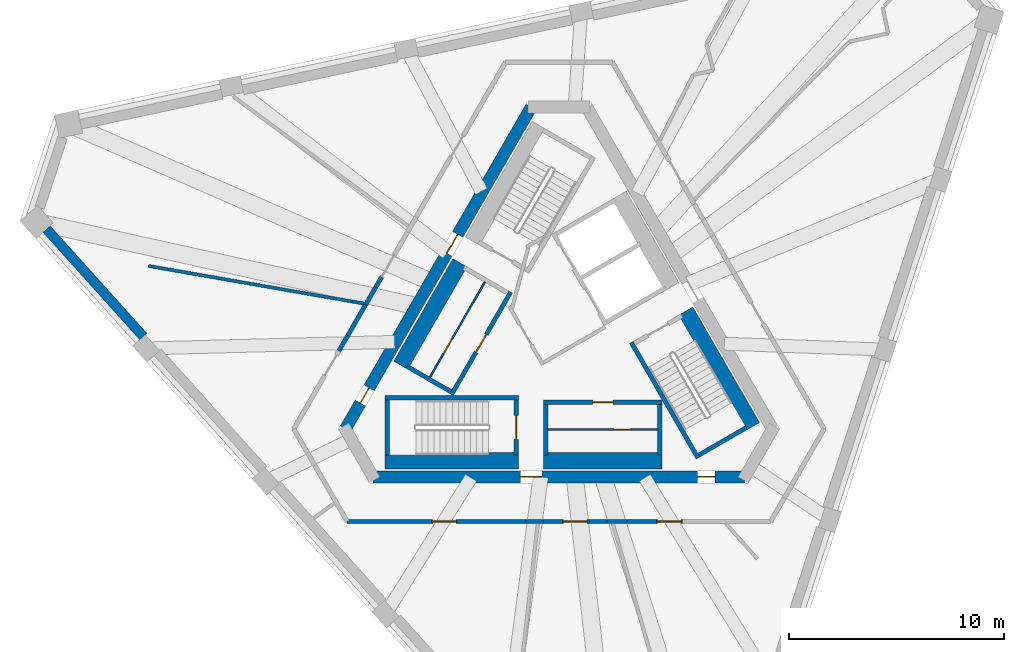
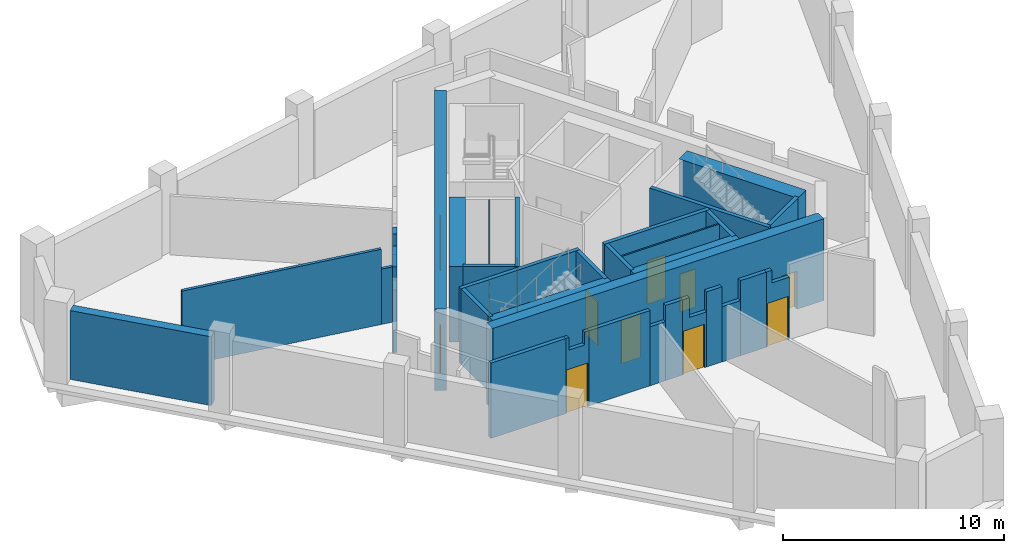
# One storey, part 2 of 5: 35 walls, 12 doors, 12 openings.
"""IFC4 building model written with IfcOpenShell, lengths in metres."""

from ifc_helpers import new_model, si_unit, direction, frame, frame_2d, origin, place, context, subcontext, project, spatial, polyline, rectangle, outline, extrude, material, layer, layer_set, type_object, element, fill, save


model = new_model("IFC4")

# Units and contexts
model_context = context("Model", 3, precision=1e-05, world=origin(), true_north=direction((0.0, 1.0)))
body_context = subcontext(model_context, "Body", "Model", "MODEL_VIEW")
ifc_project = project(units=[si_unit("LENGTHUNIT", "METRE"), si_unit("AREAUNIT", "SQUARE_METRE"), si_unit("VOLUMEUNIT", "CUBIC_METRE"), si_unit("PLANEANGLEUNIT", "RADIAN"), si_unit("MASSUNIT", "GRAM", prefix="KILO")], contexts=[model_context])

# Site, building, storey
site_placement = place(None, origin())
site = spatial("IfcSite", under=ifc_project, at=site_placement, CompositionType="ELEMENT")
building_placement = place(site_placement, origin())
building = spatial("IfcBuilding", under=site, at=building_placement, Name="Tramontana Tower", CompositionType="ELEMENT")
storey_placement = place(building_placement, frame((0.0, 0.0, 370.39990234375)))
storey = spatial("IfcBuildingStorey", under=building, at=storey_placement, Name="L85", CompositionType="ELEMENT", Elevation=370.39990234375)

# Wall, openings, doors
ifc_material_1 = material(Name="Concrete 70 MPa", Category="concrete")
ifc_layer_1 = layer(ifc_material_1, 0.550048828125)
ifc_layer_set_1 = layer_set([ifc_layer_1], Name="Core wall 550 70 MPa")
wall_type_1 = type_object("IfcWallType", Name="Core wall 550 70 MPa", PredefinedType="SHEAR", material=ifc_layer_set_1)
wall_1_placement = place(storey_placement, frame((-1.28466796875, 10.72509765625, 0.0), z_axis=(0.0, 0.0, 1.0), x_axis=(-0.499994590896, -0.86602852671, 0.0)))
wall_1 = element("IfcWall", 1, at=wall_1_placement, inside=storey, type_object=wall_type_1, Name="Core wall C1 L85", PredefinedType="SHEAR", context=body_context, shape_type="SweptSolid", body=[
    extrude(rectangle(XDim=17.291748046875, YDim=0.550048828125, at=frame_2d((8.64599609375, 0.0))), origin(), (0.0, 0.0, 1.0), 4.5),
])
opening_1_placement = place(wall_1_placement, frame((6.850830078125, 0.0, 0.0)))
opening_1 = element("IfcOpeningElement", 2, at=opening_1_placement, cuts=wall_1, Name="Opening RG1", PredefinedType="OPENING", context=body_context, shape_type="SweptSolid", body=[
    extrude(rectangle(XDim=1.0, YDim=2.39990234375, at=frame_2d((0.5, 1.199951171875))), frame((0.0, 0.284912109375, 0.0), z_axis=(0.0, -1.0, 0.0), x_axis=(1.0, 0.0, 0.0)), (0.0, 0.0, 1.0), 0.570068359375),
])
opening_2_placement = place(wall_1_placement, frame((15.0888671875, 0.0, 0.0)))
opening_2 = element("IfcOpeningElement", 3, at=opening_2_placement, cuts=wall_1, Name="Opening PD1", PredefinedType="OPENING", context=body_context, shape_type="SweptSolid", body=[
    extrude(rectangle(XDim=0.800048828125, YDim=2.10009765625, at=frame_2d((0.39990234375, 1.050048828125))), frame((0.0, 0.284912109375, 0.0), z_axis=(0.0, -1.0, 0.0), x_axis=(1.0, 0.0, 0.0)), (0.0, 0.0, 1.0), 0.570068359375),
])
ifc_material_2 = material(Name="Painted steel", Category="steel")
door_type_1 = type_object("IfcDoorType", Name="CUPBOARD DOOR 800", OperationType="SINGLE_SWING_LEFT", PredefinedType="DOOR", material=ifc_material_2)
door_1_placement = place(opening_2_placement, origin())
door_1 = element("IfcDoor", 4, at=door_1_placement, inside=storey, type_object=door_type_1, Name="Door PD1", OperationType="SINGLE_SWING_LEFT", OverallHeight=2.10009765625, OverallWidth=0.800048828125, PredefinedType="DOOR", context=body_context, shape_type="SweptSolid", body=[
    extrude(rectangle(XDim=0.800048828125, YDim=2.10009765625, at=frame_2d((0.39990234375, 1.050048828125))), frame((0.0, 0.02490234375, 0.0), z_axis=(0.0, -1.0, 0.0), x_axis=(1.0, 0.0, 0.0)), (0.0, 0.0, 1.0), 0.050048828125),
])
fill(opening_2, door_1)
ifc_material_3 = material(Name="Painted steel", Category="steel")
door_type_2 = type_object("IfcDoorType", Name="RING DOOR 1000", OperationType="SINGLE_SWING_LEFT", PredefinedType="DOOR", material=ifc_material_3)
door_2_placement = place(opening_1_placement, origin())
door_2 = element("IfcDoor", 5, at=door_2_placement, inside=storey, type_object=door_type_2, Name="Door RG1", OperationType="SINGLE_SWING_RIGHT", OverallHeight=2.39990234375, OverallWidth=1.0, PredefinedType="DOOR", context=body_context, shape_type="SweptSolid", body=[
    extrude(rectangle(XDim=1.0, YDim=2.39990234375, at=frame_2d((0.5, 1.199951171875))), frame((0.0, 0.02490234375, 0.0), z_axis=(0.0, -1.0, 0.0), x_axis=(1.0, 0.0, 0.0)), (0.0, 0.0, 1.0), 0.050048828125),
])
fill(opening_1, door_2)

wall_2_placement = place(storey_placement, frame((-8.645751953125, -6.47509765625, 0.0), z_axis=(0.0, 0.0, 1.0), x_axis=(1.0, 0.0, 0.0)))
wall_2 = element("IfcWall", 6, at=wall_2_placement, inside=storey, type_object=wall_type_1, Name="Core wall C3 L85", PredefinedType="SHEAR", context=body_context, shape_type="SweptSolid", body=[
    extrude(rectangle(XDim=17.29150390625, YDim=0.550048828125, at=frame_2d((8.645751953125, 0.0))), origin(), (0.0, 0.0, 1.0), 4.5),
])
opening_3_placement = place(wall_2_placement, frame((6.850830078125, 0.0, 0.0)))
opening_3 = element("IfcOpeningElement", 7, at=opening_3_placement, cuts=wall_2, Name="Opening RG2", PredefinedType="OPENING", context=body_context, shape_type="SweptSolid", body=[
    extrude(rectangle(XDim=1.0, YDim=2.39990234375, at=frame_2d((0.5, 1.199951171875))), frame((0.0, 0.284912109375, 0.0), z_axis=(0.0, -1.0, 0.0), x_axis=(1.0, 0.0, 0.0)), (0.0, 0.0, 1.0), 0.570068359375),
])
opening_4_placement = place(wall_2_placement, frame((15.088623046875, 0.0, 0.0)))
opening_4 = element("IfcOpeningElement", 8, at=opening_4_placement, cuts=wall_2, Name="Opening PD2", PredefinedType="OPENING", context=body_context, shape_type="SweptSolid", body=[
    extrude(rectangle(XDim=0.800048828125, YDim=2.10009765625, at=frame_2d((0.39990234375, 1.050048828125))), frame((0.0, 0.284912109375, 0.0), z_axis=(0.0, -1.0, 0.0), x_axis=(1.0, 0.0, 0.0)), (0.0, 0.0, 1.0), 0.570068359375),
])
door_3_placement = place(opening_4_placement, origin())
door_3 = element("IfcDoor", 9, at=door_3_placement, inside=storey, type_object=door_type_1, Name="Door PD2", OperationType="SINGLE_SWING_RIGHT", OverallHeight=2.10009765625, OverallWidth=0.800048828125, PredefinedType="DOOR", context=body_context, shape_type="SweptSolid", body=[
    extrude(rectangle(XDim=0.800048828125, YDim=2.10009765625, at=frame_2d((0.39990234375, 1.050048828125))), frame((0.0, 0.02490234375, 0.0), z_axis=(0.0, -1.0, 0.0), x_axis=(1.0, 0.0, 0.0)), (0.0, 0.0, 1.0), 0.050048828125),
])
fill(opening_4, door_3)
door_4_placement = place(opening_3_placement, origin())
door_4 = element("IfcDoor", 10, at=door_4_placement, inside=storey, type_object=door_type_2, Name="Door RG2", OperationType="SINGLE_SWING_LEFT", OverallHeight=2.39990234375, OverallWidth=1.0, PredefinedType="DOOR", context=body_context, shape_type="SweptSolid", body=[
    extrude(rectangle(XDim=1.0, YDim=2.39990234375, at=frame_2d((0.5, 1.199951171875))), frame((0.0, 0.02490234375, 0.0), z_axis=(0.0, -1.0, 0.0), x_axis=(1.0, 0.0, 0.0)), (0.0, 0.0, 1.0), 0.050048828125),
])
fill(opening_3, door_4)

# Wall, opening, door
ifc_material_4 = material(Name="Blockwork", Category="masonry")
ifc_layer_2 = layer(ifc_material_4, 0.199951171875)
ifc_layer_set_2 = layer_set([ifc_layer_2], Name="ENTRY WALL 200")
wall_type_2 = type_object("IfcWallType", Name="ENTRY WALL 200", PredefinedType="SOLIDWALL", material=ifc_layer_set_2)
wall_3_placement = place(storey_placement, frame((5.73291015625, -8.550048828125, 0.0), z_axis=(0.0, 0.0, 1.0), x_axis=(-1.0, 0.0, 0.0)))
wall_3 = element("IfcWall", 11, at=wall_3_placement, inside=storey, type_object=wall_type_2, Name="Wall ew1-1", PredefinedType="SOLIDWALL", context=body_context, shape_type="SweptSolid", body=[
    extrude(outline(polyline([(0.0, 0.0), (1.199951171875, 0.0), (1.199951171875, 4.150146484375), (0.904541015625, 4.150146484375), (0.904541015625, 3.4501953125), (0.0, 3.4501953125), (0.0, 0.0)])), frame((0.0, 0.10009765625, 0.0), z_axis=(0.0, -1.0, 0.0), x_axis=(1.0, 0.0, 0.0)), (0.0, 0.0, 1.0), 0.199951171875),
])
opening_5_placement = place(wall_3_placement, frame((0.050048828125, 0.0, 0.0)))
opening_5 = element("IfcOpeningElement", 12, at=opening_5_placement, cuts=wall_3, Name="Opening L85-07", PredefinedType="OPENING", context=body_context, shape_type="SweptSolid", body=[
    extrude(rectangle(XDim=1.10009765625, YDim=2.39990234375, at=frame_2d((0.550048828125, 1.199951171875))), frame((0.0, 0.10986328125, 0.0), z_axis=(0.0, -1.0, 0.0), x_axis=(1.0, 0.0, 0.0)), (0.0, 0.0, 1.0), 0.219970703125),
])
ifc_material_5 = material(Name="Painted timber", Category="wood")
door_type_3 = type_object("IfcDoorType", Name="DOOR ENTRY 1100", OperationType="SINGLE_SWING_LEFT", PredefinedType="DOOR", material=ifc_material_5)
door_5_placement = place(opening_5_placement, origin())
door_5 = element("IfcDoor", 13, at=door_5_placement, inside=storey, type_object=door_type_3, Name="Door L85-07", OperationType="SINGLE_SWING_LEFT", OverallHeight=2.39990234375, OverallWidth=1.10009765625, PredefinedType="DOOR", context=body_context, shape_type="SweptSolid", body=[
    extrude(rectangle(XDim=1.10009765625, YDim=2.39990234375, at=frame_2d((0.550048828125, 1.199951171875))), frame((0.0, 0.02490234375, 0.0), z_axis=(0.0, -1.0, 0.0), x_axis=(1.0, 0.0, 0.0)), (0.0, 0.0, 1.0), 0.050048828125),
])
fill(opening_5, door_5)

# Walls
wall_4_placement = place(storey_placement, frame((4.532958984375, -8.550048828125, 0.0), z_axis=(0.0, 0.0, 1.0), x_axis=(-1.0, 0.0, 0.0)))
element("IfcWall", 14, at=wall_4_placement, inside=storey, type_object=wall_type_2, Name="Wall ew1-2", PredefinedType="SOLIDWALL", context=body_context, shape_type="SweptSolid", body=[
    extrude(rectangle(XDim=1.360107421875, YDim=0.199951171875, at=frame_2d((0.68017578125, 0.0))), origin(), (0.0, 0.0, 1.0), 4.150146484375),
])
wall_5_placement = place(storey_placement, frame((3.1728515625, -8.550048828125, 0.0), z_axis=(0.0, 0.0, 1.0), x_axis=(-1.0, 0.0, 0.0)))
element("IfcWall", 15, at=wall_5_placement, inside=storey, type_object=wall_type_2, Name="Wall ew1-3", PredefinedType="SOLIDWALL", context=body_context, shape_type="SweptSolid", body=[
    extrude(rectangle(XDim=0.94384765625, YDim=0.199951171875, at=frame_2d((0.471923828125, 0.0))), origin(), (0.0, 0.0, 1.0), 3.050048828125),
])
wall_6_placement = place(storey_placement, frame((2.22900390625, -8.550048828125, 0.0), z_axis=(0.0, 0.0, 1.0), x_axis=(-1.0, 0.0, 0.0)))
element("IfcWall", 16, at=wall_6_placement, inside=storey, type_object=wall_type_2, Name="Wall ew1-4", PredefinedType="SOLIDWALL", context=body_context, shape_type="SweptSolid", body=[
    extrude(rectangle(XDim=0.806640625, YDim=0.199951171875, at=frame_2d((0.4033203125, 0.0))), origin(), (0.0, 0.0, 1.0), 4.150146484375),
])

# Wall, opening, door
wall_7_placement = place(storey_placement, frame((1.42236328125, -8.550048828125, 0.0), z_axis=(0.0, 0.0, 1.0), x_axis=(-1.0, 0.0, 0.0)))
wall_7 = element("IfcWall", 17, at=wall_7_placement, inside=storey, type_object=wall_type_2, Name="Wall ew1-5", PredefinedType="SOLIDWALL", context=body_context, shape_type="SweptSolid", body=[
    extrude(outline(polyline([(0.0, 0.0), (1.26318359375, 0.0), (1.262939453125, 4.150146484375), (0.90576171875, 4.150146484375), (0.90576171875, 3.050048828125), (0.0, 3.050048828125), (0.0, 0.0)])), frame((0.0, 0.10009765625, 0.0), z_axis=(0.0, -1.0, 0.0), x_axis=(1.0, 0.0, 0.0)), (0.0, 0.0, 1.0), 0.199951171875),
])
opening_6_placement = place(wall_7_placement, frame((0.113037109375, 0.0, 0.0)))
opening_6 = element("IfcOpeningElement", 18, at=opening_6_placement, cuts=wall_7, Name="Opening L85-06", PredefinedType="OPENING", context=body_context, shape_type="SweptSolid", body=[
    extrude(rectangle(XDim=1.10009765625, YDim=2.39990234375, at=frame_2d((0.550048828125, 1.199951171875))), frame((0.0, 0.10986328125, 0.0), z_axis=(0.0, -1.0, 0.0), x_axis=(1.0, 0.0, 0.0)), (0.0, 0.0, 1.0), 0.219970703125),
])
door_6_placement = place(opening_6_placement, origin())
door_6 = element("IfcDoor", 19, at=door_6_placement, inside=storey, type_object=door_type_3, Name="Door L85-06", OperationType="SINGLE_SWING_RIGHT", OverallHeight=2.39990234375, OverallWidth=1.10009765625, PredefinedType="DOOR", context=body_context, shape_type="SweptSolid", body=[
    extrude(rectangle(XDim=1.10009765625, YDim=2.39990234375, at=frame_2d((0.550048828125, 1.199951171875))), frame((0.0, 0.02490234375, 0.0), z_axis=(0.0, -1.0, 0.0), x_axis=(1.0, 0.0, 0.0)), (0.0, 0.0, 1.0), 0.050048828125),
])
fill(opening_6, door_6)

# Walls
wall_8_placement = place(storey_placement, frame((0.1591796875, -8.550048828125, 0.0), z_axis=(0.0, 0.0, 1.0), x_axis=(-1.0, 0.0, 0.0)))
element("IfcWall", 20, at=wall_8_placement, inside=storey, type_object=wall_type_2, Name="Wall ew1-6", PredefinedType="SOLIDWALL", context=body_context, shape_type="SweptSolid", body=[
    extrude(rectangle(XDim=0.880859375, YDim=0.199951171875, at=frame_2d((0.4404296875, 0.0))), origin(), (0.0, 0.0, 1.0), 4.150146484375),
])
wall_9_placement = place(storey_placement, frame((-0.7216796875, -8.550048828125, 0.0), z_axis=(0.0, 0.0, 1.0), x_axis=(-1.0, 0.0, 0.0)))
element("IfcWall", 21, at=wall_9_placement, inside=storey, type_object=wall_type_2, Name="Wall ew1-7", PredefinedType="SOLIDWALL", context=body_context, shape_type="SweptSolid", body=[
    extrude(rectangle(XDim=0.806884765625, YDim=0.199951171875, at=frame_2d((0.4033203125, 0.0))), origin(), (0.0, 0.0, 1.0), 3.25),
])
wall_10_placement = place(storey_placement, frame((-1.528564453125, -8.550048828125, 0.0), z_axis=(0.0, 0.0, 1.0), x_axis=(-1.0, 0.0, 0.0)))
element("IfcWall", 22, at=wall_10_placement, inside=storey, type_object=wall_type_2, Name="Wall ew1-8", PredefinedType="SOLIDWALL", context=body_context, shape_type="SweptSolid", body=[
    extrude(rectangle(XDim=3.2060546875, YDim=0.199951171875, at=frame_2d((1.60302734375, 0.0))), origin(), (0.0, 0.0, 1.0), 4.150146484375),
])

# Wall, opening, door
wall_11_placement = place(storey_placement, frame((-4.734619140625, -8.550048828125, 0.0), z_axis=(0.0, 0.0, 1.0), x_axis=(-1.0, 0.0, 0.0)))
wall_11 = element("IfcWall", 23, at=wall_11_placement, inside=storey, type_object=wall_type_2, Name="Wall ew1-9", PredefinedType="SOLIDWALL", context=body_context, shape_type="SweptSolid", body=[
    extrude(outline(polyline([(0.0, 0.0), (1.199951171875, 0.0), (1.199951171875, 4.150146484375), (1.04345703125, 4.150146484375), (1.04345703125, 3.4501953125), (0.217041015625, 3.4501953125), (0.217041015625, 4.150146484375), (0.0, 4.150146484375), (0.0, 0.0)])), frame((0.0, 0.10009765625, 0.0), z_axis=(0.0, -1.0, 0.0), x_axis=(1.0, 0.0, 0.0)), (0.0, 0.0, 1.0), 0.199951171875),
])
opening_7_placement = place(wall_11_placement, frame((0.050048828125, 0.0, 0.0)))
opening_7 = element("IfcOpeningElement", 24, at=opening_7_placement, cuts=wall_11, Name="Opening L85-05", PredefinedType="OPENING", context=body_context, shape_type="SweptSolid", body=[
    extrude(rectangle(XDim=1.10009765625, YDim=2.39990234375, at=frame_2d((0.550048828125, 1.199951171875))), frame((0.0, 0.10986328125, 0.0), z_axis=(0.0, -1.0, 0.0), x_axis=(1.0, 0.0, 0.0)), (0.0, 0.0, 1.0), 0.219970703125),
])
door_7_placement = place(opening_7_placement, origin())
door_7 = element("IfcDoor", 25, at=door_7_placement, inside=storey, type_object=door_type_3, Name="Door L85-05", OperationType="SINGLE_SWING_LEFT", OverallHeight=2.39990234375, OverallWidth=1.10009765625, PredefinedType="DOOR", context=body_context, shape_type="SweptSolid", body=[
    extrude(rectangle(XDim=1.10009765625, YDim=2.39990234375, at=frame_2d((0.550048828125, 1.199951171875))), frame((0.0, 0.02490234375, 0.0), z_axis=(0.0, -1.0, 0.0), x_axis=(1.0, 0.0, 0.0)), (0.0, 0.0, 1.0), 0.050048828125),
])
fill(opening_7, door_7)

# Walls
wall_12_placement = place(storey_placement, frame((-5.9345703125, -8.550048828125, 0.0), z_axis=(0.0, 0.0, 1.0), x_axis=(-1.0, 0.0, 0.0)))
element("IfcWall", 26, at=wall_12_placement, inside=storey, type_object=wall_type_2, Name="Wall ew1-10", PredefinedType="SOLIDWALL", context=body_context, shape_type="SweptSolid", body=[
    extrude(rectangle(XDim=3.9091796875, YDim=0.199951171875, at=frame_2d((1.95458984375, 0.0))), origin(), (0.0, 0.0, 1.0), 4.150146484375),
])
wall_13_placement = place(storey_placement, frame((-10.229248046875, -0.617431640625, 0.0), z_axis=(0.0, 0.0, 1.0), x_axis=(0.5001686003, 0.865928040471, 0.0)))
element("IfcWall", 27, at=wall_13_placement, inside=storey, type_object=wall_type_2, Name="Wall ew3-1", PredefinedType="SOLIDWALL", context=body_context, shape_type="SweptSolid", body=[
    extrude(rectangle(XDim=0.821044921875, YDim=0.199951171875, at=frame_2d((0.41064453125, 0.0))), origin(), (0.0, 0.0, 1.0), 3.4501953125),
])
wall_14_placement = place(storey_placement, frame((-9.818603515625, 0.093505859375, 0.0), z_axis=(0.0, 0.0, 1.0), x_axis=(0.49997779057, 0.866038226025, 0.0)))
element("IfcWall", 28, at=wall_14_placement, inside=storey, type_object=wall_type_2, Name="Wall ew3-2", PredefinedType="SOLIDWALL", context=body_context, shape_type="SweptSolid", body=[
    extrude(rectangle(XDim=1.6552734375, YDim=0.199951171875, at=frame_2d((0.82763671875, 0.0))), origin(), (0.0, 0.0, 1.0), 4.150146484375),
])
wall_15_placement = place(storey_placement, frame((-8.990966796875, 1.527099609375, 0.0), z_axis=(0.0, 0.0, 1.0), x_axis=(0.500006071987, 0.866021898093, 0.0)))
element("IfcWall", 29, at=wall_15_placement, inside=storey, type_object=wall_type_2, Name="Wall ew3-3", PredefinedType="SOLIDWALL", context=body_context, shape_type="SweptSolid", body=[
    extrude(rectangle(XDim=0.94384765625, YDim=0.199951171875, at=frame_2d((0.471923828125, 0.0))), origin(), (0.0, 0.0, 1.0), 3.050048828125),
])
wall_16_placement = place(storey_placement, frame((-8.51904296875, 2.344482421875, 0.0), z_axis=(0.0, 0.0, 1.0), x_axis=(0.499931139538, 0.866065156741, 0.0)))
element("IfcWall", 30, at=wall_16_placement, inside=storey, type_object=wall_type_2, Name="Wall ew3-4", PredefinedType="SOLIDWALL", context=body_context, shape_type="SweptSolid", body=[
    extrude(rectangle(XDim=0.5400390625, YDim=0.199951171875, at=frame_2d((0.27001953125, 0.0))), origin(), (0.0, 0.0, 1.0), 4.150146484375),
])
ifc_material_6 = material(Name="Precast concrete 60 MPa", Category="concrete")
ifc_layer_3 = layer(ifc_material_6, 0.449951171875)
ifc_layer_set_3 = layer_set([ifc_layer_3], Name="Precast concrete 60 MPa, 450 mm")
wall_type_3 = type_object("IfcWallType", Name="EW1 Stone-faced precast wall 450", PredefinedType="SOLIDWALL", material=ifc_layer_set_3)
wall_17_placement = place(storey_placement, frame((-23.817138671875, 5.043212890625, 0.0), z_axis=(0.0, 0.0, 1.0), x_axis=(0.669137493687, -0.743138624041, 0.0)))
element("IfcWall", 31, at=wall_17_placement, inside=storey, type_object=wall_type_3, Name="Stone band wall L85 face 0s 1", PredefinedType="SOLIDWALL", context=body_context, shape_type="SweptSolid", body=[
    extrude(rectangle(XDim=6.7138671875, YDim=0.449951171875, at=frame_2d((3.35693359375, 0.0))), origin(), (0.0, 0.0, 1.0), 3.800048828125),
])
ifc_material_7 = material(Name="Gypsum board partition")
ifc_layer_4 = layer(ifc_material_7, 0.14990234375)
ifc_layer_set_4 = layer_set([ifc_layer_4], Name="PARTITION 150")
wall_type_4 = type_object("IfcWallType", Name="PARTITION 150", PredefinedType="PARTITIONING", material=ifc_layer_set_4)
wall_18_placement = place(storey_placement, frame((-9.07373046875, 1.583984375, 0.0), z_axis=(0.0, 0.0, 1.0), x_axis=(-0.985074607055, 0.172127913293, 0.0)))
element("IfcWall", 32, at=wall_18_placement, inside=storey, type_object=wall_type_4, Name="Wall fw-pw02-0", PredefinedType="PARTITIONING", context=body_context, shape_type="SweptSolid", body=[
    extrude(rectangle(XDim=0.56298828125, YDim=0.14990234375, at=frame_2d((0.281494140625, 0.0))), origin(), (0.0, 0.0, 1.0), 3.050048828125),
])
wall_19_placement = place(storey_placement, frame((-9.62841796875, 1.680908203125, 0.0), z_axis=(0.0, 0.0, 1.0), x_axis=(-0.985101356033, 0.171974760768, 0.0)))
element("IfcWall", 33, at=wall_19_placement, inside=storey, type_object=wall_type_4, Name="Wall fw-pw02-1", PredefinedType="PARTITIONING", context=body_context, shape_type="SweptSolid", body=[
    extrude(rectangle(XDim=9.59375, YDim=0.14990234375, at=frame_2d((4.796875, 0.0))), origin(), (0.0, 0.0, 1.0), 4.150146484375),
])

# Wall, opening, door
ifc_material_8 = material(Name="Gypsum board partition")
ifc_layer_5 = layer(ifc_material_8, 0.080078125)
ifc_layer_set_5 = layer_set([ifc_layer_5], Name="PARTITION 80")
wall_type_5 = type_object("IfcWallType", Name="PARTITION 80", PredefinedType="PARTITIONING", material=ifc_layer_set_5)
wall_20_placement = place(storey_placement, frame((-5.997314453125, -1.837646484375, 0.0), z_axis=(0.0, 0.0, 1.0), x_axis=(0.500005610874, 0.86602216432, 0.0)))
wall_20 = element("IfcWall", 34, at=wall_20_placement, inside=storey, type_object=wall_type_5, Name="Wall row0-split", PredefinedType="PARTITIONING", context=body_context, shape_type="SweptSolid", body=[
    extrude(rectangle(XDim=5.10009765625, YDim=0.080078125, at=frame_2d((2.550048828125, 0.0))), origin(), (0.0, 0.0, 1.0), 4.150146484375),
])
opening_8_placement = place(wall_20_placement, frame((1.25, 0.0, 0.0)))
opening_8 = element("IfcOpeningElement", 35, at=opening_8_placement, cuts=wall_20, Name="Opening RD-0B", PredefinedType="OPENING", context=body_context, shape_type="SweptSolid", body=[
    extrude(rectangle(XDim=0.800048828125, YDim=2.10009765625, at=frame_2d((0.39990234375, 1.050048828125))), frame((0.0, 0.050048828125, 0.0), z_axis=(0.0, -1.0, 0.0), x_axis=(1.0, 0.0, 0.0)), (0.0, 0.0, 1.0), 0.10009765625),
])
door_8_placement = place(opening_8_placement, origin())
door_8 = element("IfcDoor", 36, at=door_8_placement, inside=storey, type_object=door_type_1, Name="Door RD-0B", OperationType="SINGLE_SWING_RIGHT", OverallHeight=2.10009765625, OverallWidth=0.800048828125, PredefinedType="DOOR", context=body_context, shape_type="SweptSolid", body=[
    extrude(rectangle(XDim=0.800048828125, YDim=2.10009765625, at=frame_2d((0.39990234375, 1.050048828125))), frame((0.0, 0.02490234375, 0.0), z_axis=(0.0, -1.0, 0.0), x_axis=(1.0, 0.0, 0.0)), (0.0, 0.0, 1.0), 0.050048828125),
])
fill(opening_8, door_8)

wall_21_placement = place(storey_placement, frame((4.590087890625, -4.27490234375, 0.0), z_axis=(0.0, 0.0, 1.0), x_axis=(-1.0, 0.0, 0.0)))
wall_21 = element("IfcWall", 37, at=wall_21_placement, inside=storey, type_object=wall_type_5, Name="Wall row1-split", PredefinedType="PARTITIONING", context=body_context, shape_type="SweptSolid", body=[
    extrude(rectangle(XDim=5.10009765625, YDim=0.080078125, at=frame_2d((2.550048828125, 0.0))), origin(), (0.0, 0.0, 1.0), 4.150146484375),
])
opening_9_placement = place(wall_21_placement, frame((1.25, 0.0, 0.0)))
opening_9 = element("IfcOpeningElement", 38, at=opening_9_placement, cuts=wall_21, Name="Opening RD-1B", PredefinedType="OPENING", context=body_context, shape_type="SweptSolid", body=[
    extrude(rectangle(XDim=0.800048828125, YDim=2.10009765625, at=frame_2d((0.39990234375, 1.050048828125))), frame((0.0, 0.050048828125, 0.0), z_axis=(0.0, -1.0, 0.0), x_axis=(1.0, 0.0, 0.0)), (0.0, 0.0, 1.0), 0.10009765625),
])
door_9_placement = place(opening_9_placement, origin())
door_9 = element("IfcDoor", 39, at=door_9_placement, inside=storey, type_object=door_type_1, Name="Door RD-1B", OperationType="SINGLE_SWING_RIGHT", OverallHeight=2.10009765625, OverallWidth=0.800048828125, PredefinedType="DOOR", context=body_context, shape_type="SweptSolid", body=[
    extrude(rectangle(XDim=0.800048828125, YDim=2.10009765625, at=frame_2d((0.39990234375, 1.050048828125))), frame((0.0, 0.02490234375, 0.0), z_axis=(0.0, -1.0, 0.0), x_axis=(1.0, 0.0, 0.0)), (0.0, 0.0, 1.0), 0.050048828125),
])
fill(opening_9, door_9)

# Walls
ifc_material_9 = material(Name="Concrete 70 MPa", Category="concrete")
ifc_layer_6 = layer(ifc_material_9, 0.75)
ifc_layer_set_6 = layer_set([ifc_layer_6], Name="Concrete 70 MPa, 750 mm")
wall_type_6 = type_object("IfcWallType", Name="RC SHAFT BACK WALL 750", PredefinedType="SOLIDWALL", material=ifc_layer_set_6)
wall_22_placement = place(storey_placement, frame((-8.080078125, -5.72509765625, 0.0), z_axis=(0.0, 0.0, 1.0), x_axis=(1.0, 0.0, 0.0)))
element("IfcWall", 40, at=wall_22_placement, inside=storey, type_object=wall_type_6, Name="Wall st2-back", PredefinedType="SOLIDWALL", context=body_context, shape_type="SweptSolid", body=[
    extrude(rectangle(XDim=6.2001953125, YDim=0.75, at=frame_2d((3.10009765625, 0.0))), origin(), (0.0, 0.0, 1.0), 4.150146484375),
])
wall_23_placement = place(storey_placement, frame((8.998046875, -4.135009765625, 0.0), z_axis=(0.0, 0.0, 1.0), x_axis=(-0.500009909098, 0.866019682689, 0.0)))
element("IfcWall", 41, at=wall_23_placement, inside=storey, type_object=wall_type_6, Name="Wall st3-back", PredefinedType="SOLIDWALL", context=body_context, shape_type="SweptSolid", body=[
    extrude(rectangle(XDim=6.199951171875, YDim=0.75, at=frame_2d((3.10009765625, 0.0))), origin(), (0.0, 0.0, 1.0), 4.150146484375),
])
wall_24_placement = place(storey_placement, frame((-4.60302734375, 3.477294921875, 0.0), z_axis=(0.0, 0.0, 1.0), x_axis=(-0.500015767406, -0.866016300277, 0.0)))
element("IfcWall", 42, at=wall_24_placement, inside=storey, type_object=wall_type_6, Name="Wall row0-back", PredefinedType="SOLIDWALL", context=body_context, shape_type="SweptSolid", body=[
    extrude(rectangle(XDim=5.499755859375, YDim=0.75, at=frame_2d((2.75, 0.0))), origin(), (0.0, 0.0, 1.0), 4.150146484375),
])
wall_25_placement = place(storey_placement, frame((-0.7099609375, -5.72509765625, 0.0), z_axis=(0.0, 0.0, 1.0), x_axis=(1.0, 0.0, 0.0)))
element("IfcWall", 43, at=wall_25_placement, inside=storey, type_object=wall_type_6, Name="Wall row1-back", PredefinedType="SOLIDWALL", context=body_context, shape_type="SweptSolid", body=[
    extrude(rectangle(XDim=5.5, YDim=0.75, at=frame_2d((2.75, 0.0))), origin(), (0.0, 0.0, 1.0), 4.150146484375),
])
ifc_material_10 = material(Name="Concrete 70 MPa", Category="concrete")
ifc_layer_7 = layer(ifc_material_10, 0.199951171875)
ifc_layer_set_7 = layer_set([ifc_layer_7], Name="Concrete 70 MPa, 200 mm")
wall_type_7 = type_object("IfcWallType", Name="RC STAIR AND SHAFT WALL 200", PredefinedType="SOLIDWALL", material=ifc_layer_set_7)
wall_26_placement = place(storey_placement, frame((-8.080078125, -2.800048828125, 0.0), z_axis=(0.0, 0.0, 1.0), x_axis=(1.0, 0.0, 0.0)))
element("IfcWall", 44, at=wall_26_placement, inside=storey, type_object=wall_type_7, Name="Wall st2-front", PredefinedType="SOLIDWALL", context=body_context, shape_type="SweptSolid", body=[
    extrude(rectangle(XDim=6.2001953125, YDim=0.199951171875, at=frame_2d((3.10009765625, 0.0))), origin(), (0.0, 0.0, 1.0), 4.150146484375),
])
wall_27_placement = place(storey_placement, frame((-7.97998046875, -2.89990234375, 0.0), z_axis=(0.0, 0.0, 1.0), x_axis=(0.0, -1.0, 0.0)))
element("IfcWall", 45, at=wall_27_placement, inside=storey, type_object=wall_type_7, Name="Wall st2-far", PredefinedType="SOLIDWALL", context=body_context, shape_type="SweptSolid", body=[
    extrude(rectangle(XDim=2.550048828125, YDim=0.199951171875, at=frame_2d((1.27490234375, 0.0))), origin(), (0.0, 0.0, 1.0), 4.150146484375),
])

# Wall, opening, door
wall_28_placement = place(storey_placement, frame((-1.97998046875, -2.89990234375, 0.0), z_axis=(0.0, 0.0, 1.0), x_axis=(0.0, -1.0, 0.0)))
wall_28 = element("IfcWall", 46, at=wall_28_placement, inside=storey, type_object=wall_type_7, Name="Wall st2-near", PredefinedType="SOLIDWALL", context=body_context, shape_type="SweptSolid", body=[
    extrude(rectangle(XDim=2.550048828125, YDim=0.199951171875, at=frame_2d((1.27490234375, 0.0))), origin(), (0.0, 0.0, 1.0), 4.150146484375),
])
opening_10_placement = place(wall_28_placement, frame((0.72509765625, 0.0, 0.0)))
opening_10 = element("IfcOpeningElement", 47, at=opening_10_placement, cuts=wall_28, Name="Opening SD2", PredefinedType="OPENING", context=body_context, shape_type="SweptSolid", body=[
    extrude(rectangle(XDim=1.10009765625, YDim=2.39990234375, at=frame_2d((0.550048828125, 1.199951171875))), frame((0.0, 0.10986328125, 0.0), z_axis=(0.0, -1.0, 0.0), x_axis=(1.0, 0.0, 0.0)), (0.0, 0.0, 1.0), 0.219970703125),
])
ifc_material_11 = material(Name="Painted steel", Category="steel")
door_type_4 = type_object("IfcDoorType", Name="STAIR DOOR 1100", OperationType="SINGLE_SWING_LEFT", PredefinedType="DOOR", material=ifc_material_11)
door_10_placement = place(opening_10_placement, origin())
door_10 = element("IfcDoor", 48, at=door_10_placement, inside=storey, type_object=door_type_4, Name="Door SD2", OperationType="SINGLE_SWING_LEFT", OverallHeight=2.39990234375, OverallWidth=1.10009765625, PredefinedType="DOOR", context=body_context, shape_type="SweptSolid", body=[
    extrude(rectangle(XDim=1.10009765625, YDim=2.39990234375, at=frame_2d((0.550048828125, 1.199951171875))), frame((0.0, 0.02490234375, 0.0), z_axis=(0.0, -1.0, 0.0), x_axis=(1.0, 0.0, 0.0)), (0.0, 0.0, 1.0), 0.050048828125),
])
fill(opening_10, door_10)

# Walls
wall_29_placement = place(storey_placement, frame((6.46484375, -5.597412109375, 0.0), z_axis=(0.0, 0.0, 1.0), x_axis=(-0.49998037582, 0.866036733513, 0.0)))
element("IfcWall", 49, at=wall_29_placement, inside=storey, type_object=wall_type_7, Name="Wall st3-front", PredefinedType="SOLIDWALL", context=body_context, shape_type="SweptSolid", body=[
    extrude(rectangle(XDim=6.199951171875, YDim=0.199951171875, at=frame_2d((3.10009765625, 0.0))), origin(), (0.0, 0.0, 1.0), 4.150146484375),
])
wall_30_placement = place(storey_placement, frame((6.50146484375, -5.4609375, 0.0), z_axis=(0.0, 0.0, 1.0), x_axis=(0.865989465428, 0.500062241894, 0.0)))
element("IfcWall", 50, at=wall_30_placement, inside=storey, type_object=wall_type_7, Name="Wall st3-far", PredefinedType="SOLIDWALL", context=body_context, shape_type="SweptSolid", body=[
    extrude(rectangle(XDim=2.550048828125, YDim=0.199951171875, at=frame_2d((1.27490234375, 0.0))), origin(), (0.0, 0.0, 1.0), 4.150146484375),
])

# Wall, opening, door
wall_31_placement = place(storey_placement, frame((-4.9931640625, -2.648193359375, 0.0), z_axis=(0.0, 0.0, 1.0), x_axis=(0.499996545922, 0.866027397988, 0.0)))
wall_31 = element("IfcWall", 51, at=wall_31_placement, inside=storey, type_object=wall_type_7, Name="Wall row0-front", PredefinedType="SOLIDWALL", context=body_context, shape_type="SweptSolid", body=[
    extrude(rectangle(XDim=5.5, YDim=0.199951171875, at=frame_2d((2.75, 0.0))), origin(), (0.0, 0.0, 1.0), 4.150146484375),
])
opening_11_placement = place(wall_31_placement, frame((2.27490234375, 0.0, 0.0)))
opening_11 = element("IfcOpeningElement", 52, at=opening_11_placement, cuts=wall_31, Name="Opening RD-0A", PredefinedType="OPENING", context=body_context, shape_type="SweptSolid", body=[
    extrude(rectangle(XDim=0.949951171875, YDim=2.39990234375, at=frame_2d((0.47509765625, 1.199951171875))), frame((0.0, 0.10986328125, 0.0), z_axis=(0.0, -1.0, 0.0), x_axis=(1.0, 0.0, 0.0)), (0.0, 0.0, 1.0), 0.219970703125),
])
ifc_material_12 = material(Name="Painted timber", Category="wood")
door_type_5 = type_object("IfcDoorType", Name="DOOR ROOM 950", OperationType="SINGLE_SWING_LEFT", PredefinedType="DOOR", material=ifc_material_12)
door_11_placement = place(opening_11_placement, origin())
door_11 = element("IfcDoor", 53, at=door_11_placement, inside=storey, type_object=door_type_5, Name="Door RD-0A", OperationType="SINGLE_SWING_LEFT", OverallHeight=2.39990234375, OverallWidth=0.949951171875, PredefinedType="DOOR", context=body_context, shape_type="SweptSolid", body=[
    extrude(rectangle(XDim=0.949951171875, YDim=2.39990234375, at=frame_2d((0.47509765625, 1.199951171875))), frame((0.0, 0.02490234375, 0.0), z_axis=(0.0, -1.0, 0.0), x_axis=(1.0, 0.0, 0.0)), (0.0, 0.0, 1.0), 0.050048828125),
])
fill(opening_11, door_11)

# Wall
wall_32_placement = place(storey_placement, frame((-5.02978515625, -2.51171875, 0.0), z_axis=(0.0, 0.0, 1.0), x_axis=(-0.866016039709, 0.500016218704, 0.0)))
element("IfcWall", 54, at=wall_32_placement, inside=storey, type_object=wall_type_7, Name="Wall row0-side2", PredefinedType="SOLIDWALL", context=body_context, shape_type="SweptSolid", body=[
    extrude(rectangle(XDim=2.35009765625, YDim=0.199951171875, at=frame_2d((1.175048828125, 0.0))), origin(), (0.0, 0.0, 1.0), 4.150146484375),
])

# Wall, opening, door
wall_33_placement = place(storey_placement, frame((4.7900390625, -3.0, 0.0), z_axis=(0.0, 0.0, 1.0), x_axis=(-1.0, 0.0, 0.0)))
wall_33 = element("IfcWall", 55, at=wall_33_placement, inside=storey, type_object=wall_type_7, Name="Wall row1-front", PredefinedType="SOLIDWALL", context=body_context, shape_type="SweptSolid", body=[
    extrude(rectangle(XDim=5.5, YDim=0.199951171875, at=frame_2d((2.75, 0.0))), origin(), (0.0, 0.0, 1.0), 4.150146484375),
])
opening_12_placement = place(wall_33_placement, frame((2.27490234375, 0.0, 0.0)))
opening_12 = element("IfcOpeningElement", 56, at=opening_12_placement, cuts=wall_33, Name="Opening RD-1A", PredefinedType="OPENING", context=body_context, shape_type="SweptSolid", body=[
    extrude(rectangle(XDim=0.949951171875, YDim=2.39990234375, at=frame_2d((0.47509765625, 1.199951171875))), frame((0.0, 0.10986328125, 0.0), z_axis=(0.0, -1.0, 0.0), x_axis=(1.0, 0.0, 0.0)), (0.0, 0.0, 1.0), 0.219970703125),
])
door_12_placement = place(opening_12_placement, origin())
door_12 = element("IfcDoor", 57, at=door_12_placement, inside=storey, type_object=door_type_5, Name="Door RD-1A", OperationType="SINGLE_SWING_LEFT", OverallHeight=2.39990234375, OverallWidth=0.949951171875, PredefinedType="DOOR", context=body_context, shape_type="SweptSolid", body=[
    extrude(rectangle(XDim=0.949951171875, YDim=2.39990234375, at=frame_2d((0.47509765625, 1.199951171875))), frame((0.0, 0.02490234375, 0.0), z_axis=(0.0, -1.0, 0.0), x_axis=(1.0, 0.0, 0.0)), (0.0, 0.0, 1.0), 0.050048828125),
])
fill(opening_12, door_12)

# Walls
for number, where, z_axis, x_axis, name in (
    (58, (-0.610107421875, -3.10009765625, 0.0), (0.0, 0.0, 1.0), (0.0, -1.0, 0.0), "Wall row1-side0"),
    (59, (4.68994140625, -3.10009765625, 0.0), (0.0, 0.0, 1.0), (0.0, -1.0, 0.0), "Wall row1-side2"),
):
    element("IfcWall", number, at=place(storey_placement, frame(where, z_axis=z_axis, x_axis=x_axis)), inside=storey, type_object=wall_type_7, Name=name, PredefinedType="SOLIDWALL", context=body_context, shape_type="SweptSolid", body=[
        extrude(rectangle(XDim=2.349853515625, YDim=0.199951171875, at=frame_2d((1.1748046875, 0.0))), origin(), (0.0, 0.0, 1.0), 4.150146484375),
    ])

save(model, "model.ifc")
